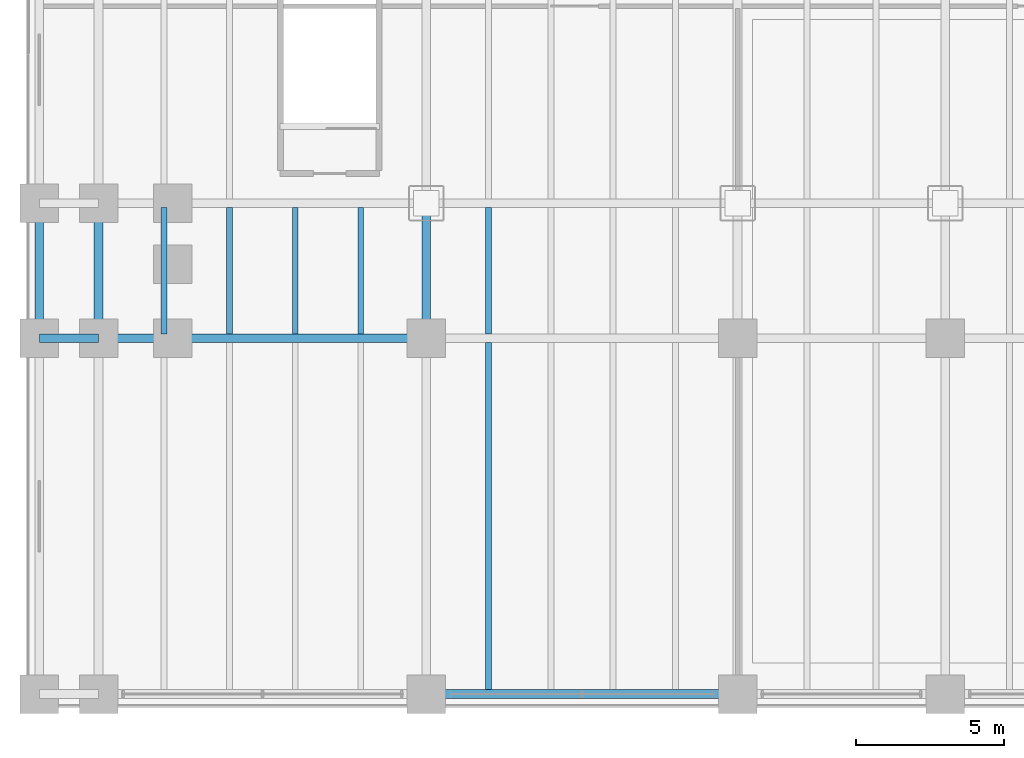
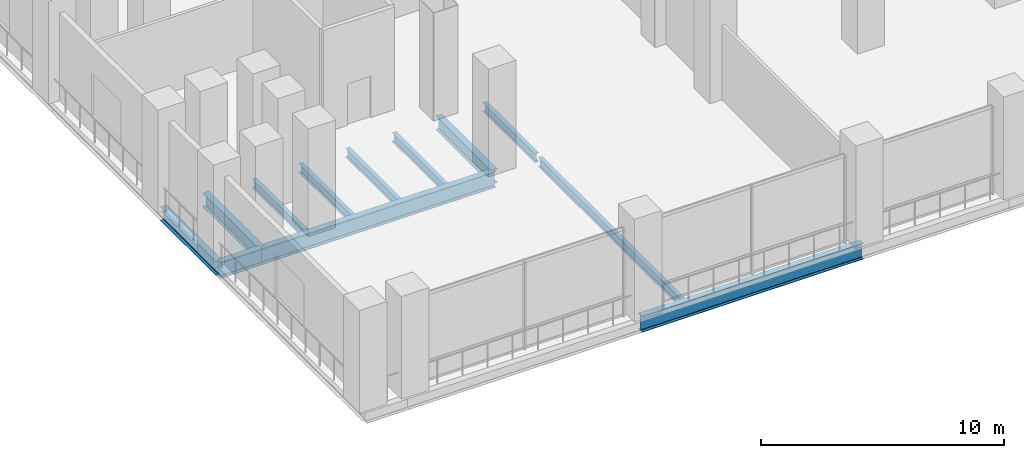
# One storey, part 5 of 30: 12 beams.
"""IFC4 building model written with IfcOpenShell, lengths in metres."""

from ifc_helpers import new_model, si_unit, direction, frame, origin, origin_2d, place, context, subcontext, project, spatial, i_section, extrude, material, material_profile, profile_set, type_object, element, save


model = new_model("IFC4")

# Units and contexts
model_context = context("Model", 3, precision=1e-05, world=origin(), true_north=direction((0.0, 1.0)))
body_context = subcontext(model_context, "Body", "Model", "MODEL_VIEW")
ifc_project = project(units=[si_unit("LENGTHUNIT", "METRE"), si_unit("AREAUNIT", "SQUARE_METRE"), si_unit("VOLUMEUNIT", "CUBIC_METRE"), si_unit("PLANEANGLEUNIT", "RADIAN"), si_unit("MASSUNIT", "GRAM", prefix="KILO")], contexts=[model_context])

# Site, building, storey
site_placement = place(None, origin())
site = spatial("IfcSite", under=ifc_project, at=site_placement, CompositionType="ELEMENT")
building_placement = place(site_placement, origin())
building = spatial("IfcBuilding", under=site, at=building_placement, Name="Noeulbin Bourse Tower", CompositionType="ELEMENT")
storey_placement = place(building_placement, frame((0.0, 0.0, 16.60009765625)))
storey = spatial("IfcBuildingStorey", under=building, at=storey_placement, Name="L04", CompositionType="ELEMENT", Elevation=16.60009765625)

# Beams
ifc_material = material(Name="Steel S355", Category="steel")
ifc_material_profile_1 = material_profile(ifc_material, i_section(OverallWidth=0.300048828125, OverallDepth=0.699951171875, WebThickness=0.012939453125, FlangeThickness=0.02392578125, FilletRadius=0.02392578125, at=origin_2d()), Name="H-700x300x13x24", Category="LoadBearing")
ifc_profile_set_1 = profile_set([ifc_material_profile_1], Name="Steel S355")
beam_type_1 = type_object("IfcBeamType", Name="BM-GRD-700", PredefinedType="USERDEFINED", material=ifc_profile_set_1)
for number, where, z_axis, x_axis, name in (
    (1, (0.449951171875, 15.449951171875, -0.60009765625), (0.0, 1.0, 0.0), (-1.0, 0.0, 0.0), "Podium Primary Girder NS L04-058"),
    (2, (2.449951171875, 15.449951171875, -0.60009765625), (0.0, 1.0, 0.0), (-1.0, 0.0, 0.0), "Podium Primary Girder NS L04-064"),
    (3, (13.5, 15.449951171875, -0.60009765625), (0.0, 1.0, 0.0), (-1.0, 0.0, 0.0), "Podium Primary Girder NS L04-070"),
):
    element("IfcBeam", number, at=place(storey_placement, frame(where, z_axis=z_axis, x_axis=x_axis)), inside=storey, type_object=beam_type_1, Name=name, ObjectType="GIRDER", PredefinedType="USERDEFINED", context=body_context, shape_type="SweptSolid", body=[
        extrude(i_section(OverallWidth=0.300048828125, OverallDepth=0.699951171875, WebThickness=0.012939453125, FlangeThickness=0.02392578125, FilletRadius=0.02392578125, at=origin_2d()), origin(), (0.0, 0.0, 1.0), 4.550048828125),
    ])
ifc_material_profile_2 = material_profile(ifc_material, i_section(OverallWidth=0.300048828125, OverallDepth=0.800048828125, WebThickness=0.013916015625, FlangeThickness=0.02587890625, FilletRadius=0.02587890625, at=origin_2d()), Name="H-800x300x14x26", Category="LoadBearing")
ifc_profile_set_2 = profile_set([ifc_material_profile_2], Name="Steel S355")
beam_type_2 = type_object("IfcBeamType", Name="BM-GRD-800", PredefinedType="USERDEFINED", material=ifc_profile_set_2)
beam_1_placement = place(storey_placement, frame((13.5, 3.449951171875, -0.650146484375), z_axis=(1.0, 0.0, 0.0), x_axis=(0.0, 1.0, 0.0)))
element("IfcBeam", 4, at=beam_1_placement, inside=storey, type_object=beam_type_2, Name="Podium Primary Girder EW L04-003", ObjectType="GIRDER", PredefinedType="USERDEFINED", context=body_context, shape_type="SweptSolid", body=[
    extrude(i_section(OverallWidth=0.300048828125, OverallDepth=0.800048828125, WebThickness=0.013916015625, FlangeThickness=0.02587890625, FilletRadius=0.02587890625, at=origin_2d()), origin(), (0.0, 0.0, 1.0), 10.5),
])
beam_2_placement = place(storey_placement, frame((0.449951171875, 15.449951171875, -0.650146484375), z_axis=(1.0, 0.0, 0.0), x_axis=(0.0, 1.0, 0.0)))
element("IfcBeam", 5, at=beam_2_placement, inside=storey, type_object=beam_type_2, Name="Podium Primary Girder EW L04-009", ObjectType="GIRDER", PredefinedType="USERDEFINED", context=body_context, shape_type="SweptSolid", body=[
    extrude(i_section(OverallWidth=0.300048828125, OverallDepth=0.800048828125, WebThickness=0.013916015625, FlangeThickness=0.02587890625, FilletRadius=0.02587890625, at=origin_2d()), origin(), (0.0, 0.0, 1.0), 2.0),
])
beam_3_placement = place(storey_placement, frame((2.449951171875, 15.449951171875, -0.650146484375), z_axis=(1.0, 0.0, 0.0), x_axis=(0.0, 1.0, 0.0)))
element("IfcBeam", 6, at=beam_3_placement, inside=storey, type_object=beam_type_2, Name="Podium Primary Girder EW L04-010", ObjectType="GIRDER", PredefinedType="USERDEFINED", context=body_context, shape_type="SweptSolid", body=[
    extrude(i_section(OverallWidth=0.300048828125, OverallDepth=0.800048828125, WebThickness=0.013916015625, FlangeThickness=0.02587890625, FilletRadius=0.02587890625, at=origin_2d()), origin(), (0.0, 0.0, 1.0), 11.050048828125),
])
ifc_material_profile_3 = material_profile(ifc_material, i_section(OverallWidth=0.199951171875, OverallDepth=0.449951171875, WebThickness=0.009033203125, FlangeThickness=0.013916015625, FilletRadius=0.01806640625, at=origin_2d()), Name="H-450x200x9x14", Category="LoadBearing")
ifc_profile_set_3 = profile_set([ifc_material_profile_3], Name="Steel S355")
beam_type_3 = type_object("IfcBeamType", Name="BM-SEC-450", PredefinedType="BEAM", material=ifc_profile_set_3)
for number, where, z_axis, x_axis, name in (
    (7, (4.659912109375, 15.60009765625, -0.47509765625), (0.0, 1.0, 0.0), (-1.0, 0.0, 0.0), "Podium Secondary Beam L04-002"),
    (8, (6.8701171875, 15.60009765625, -0.47509765625), (0.0, 1.0, 0.0), (-1.0, 0.0, 0.0), "Podium Secondary Beam L04-008"),
    (9, (9.080078125, 15.60009765625, -0.47509765625), (0.0, 1.0, 0.0), (-1.0, 0.0, 0.0), "Podium Secondary Beam L04-014"),
    (10, (11.2900390625, 15.60009765625, -0.47509765625), (0.0, 1.0, 0.0), (-1.0, 0.0, 0.0), "Podium Secondary Beam L04-019"),
):
    element("IfcBeam", number, at=place(storey_placement, frame(where, z_axis=z_axis, x_axis=x_axis)), inside=storey, type_object=beam_type_3, Name=name, PredefinedType="BEAM", context=body_context, shape_type="SweptSolid", body=[
        extrude(i_section(OverallWidth=0.199951171875, OverallDepth=0.449951171875, WebThickness=0.009033203125, FlangeThickness=0.013916015625, FilletRadius=0.01806640625, at=origin_2d()), origin(), (0.0, 0.0, 1.0), 4.25),
    ])
beam_4_placement = place(storey_placement, frame((15.60009765625, 3.60009765625, -0.47509765625), z_axis=(0.0, 1.0, 0.0), x_axis=(-1.0, 0.0, 0.0)))
element("IfcBeam", 11, at=beam_4_placement, inside=storey, type_object=beam_type_3, Name="Podium Secondary Beam L04-023", PredefinedType="BEAM", context=body_context, shape_type="SweptSolid", body=[
    extrude(i_section(OverallWidth=0.199951171875, OverallDepth=0.449951171875, WebThickness=0.009033203125, FlangeThickness=0.013916015625, FilletRadius=0.01806640625, at=origin_2d()), origin(), (0.0, 0.0, 1.0), 11.699951171875),
])
beam_5_placement = place(storey_placement, frame((15.60009765625, 15.60009765625, -0.47509765625), z_axis=(0.0, 1.0, 0.0), x_axis=(-1.0, 0.0, 0.0)))
element("IfcBeam", 12, at=beam_5_placement, inside=storey, type_object=beam_type_3, Name="Podium Secondary Beam L04-024", PredefinedType="BEAM", context=body_context, shape_type="SweptSolid", body=[
    extrude(i_section(OverallWidth=0.199951171875, OverallDepth=0.449951171875, WebThickness=0.009033203125, FlangeThickness=0.013916015625, FilletRadius=0.01806640625, at=origin_2d()), origin(), (0.0, 0.0, 1.0), 4.25),
])

save(model, "model.ifc")
